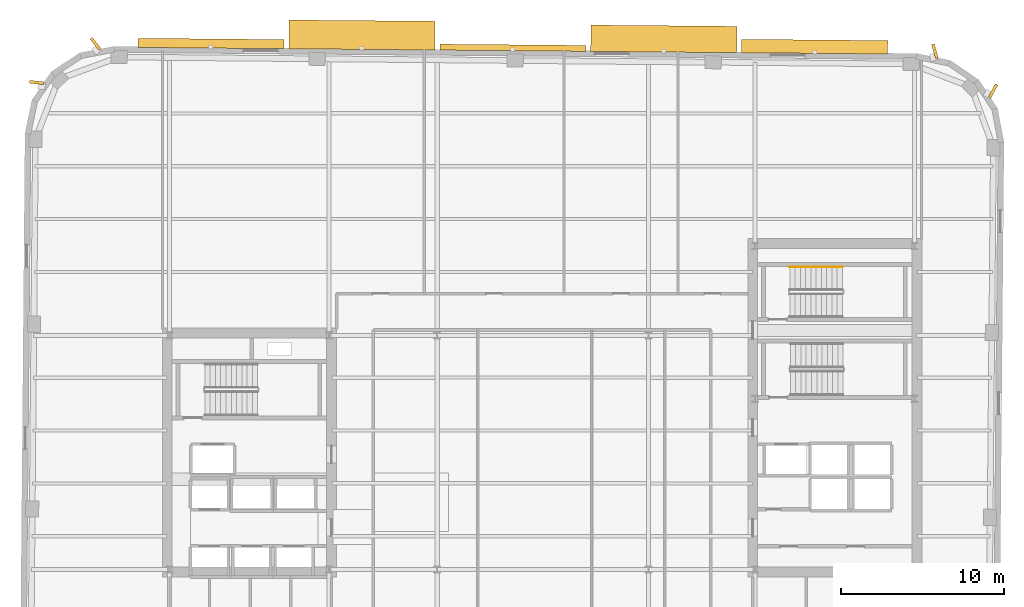
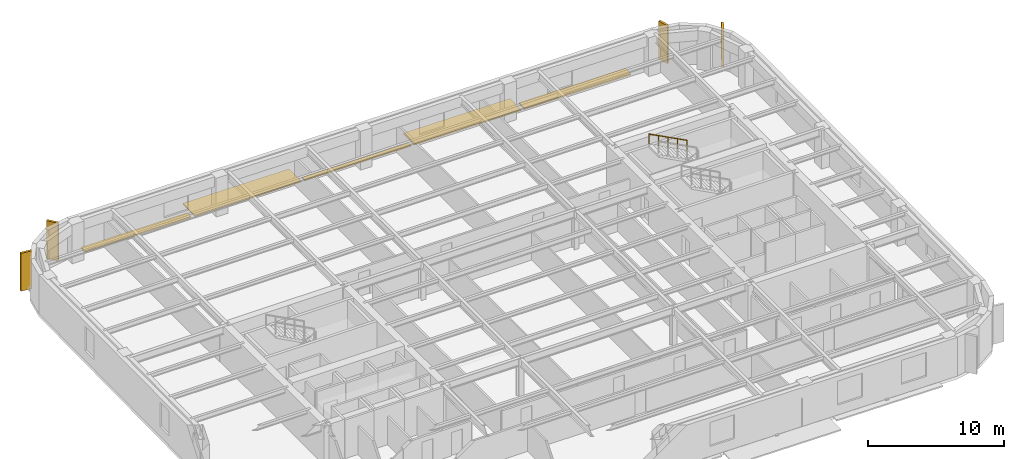
# One storey, part 12 of 12: 9 shading devices, 1 railing.
"""IFC4 building model written with IfcOpenShell, lengths in metres."""

from ifc_helpers import new_model, si_unit, direction, frame, origin, origin_2d, place, context, subcontext, project, spatial, rectangle, circle, extrude, material, type_object, element, save


model = new_model("IFC4")

# Units and contexts
model_context = context("Model", 3, precision=1e-05, world=origin(), true_north=direction((0.0, 1.0)))
body_context = subcontext(model_context, "Body", "Model", "MODEL_VIEW")
ifc_project = project(units=[si_unit("LENGTHUNIT", "METRE"), si_unit("AREAUNIT", "SQUARE_METRE"), si_unit("VOLUMEUNIT", "CUBIC_METRE"), si_unit("PLANEANGLEUNIT", "RADIAN"), si_unit("MASSUNIT", "GRAM", prefix="KILO")], contexts=[model_context])

# Site, building, storey
site_placement = place(None, origin())
site = spatial("IfcSite", under=ifc_project, at=site_placement, CompositionType="ELEMENT")
building_placement = place(site_placement, origin())
building = spatial("IfcBuilding", under=site, at=building_placement, Name="Kolvaren Arena Tower", CompositionType="ELEMENT")
storey_placement = place(building_placement, frame((0.0, 0.0, 177.199951171875)))
storey = spatial("IfcBuildingStorey", under=building, at=storey_placement, Name="L42", CompositionType="ELEMENT", Elevation=177.199951171875)

# Railing
ifc_material_1 = material(Name="Brushed stainless steel handrail", Category="steel")
railing_type = type_object("IfcRailingType", Name="HRAIL-900", PredefinedType="HANDRAIL", material=ifc_material_1)
railing_placement = place(storey_placement, frame((55.919921875, 38.050048828125, 2.04541015625)))
element("IfcRailing", 1, at=railing_placement, inside=storey, type_object=railing_type, Name="L42 ST-E2 stair handrail 2", PredefinedType="HANDRAIL", context=body_context, shape_type="SweptSolid", body=[
    extrude(circle(Radius=0.02392578125, at=origin_2d()), frame((0.0, 0.0, 0.8759765625), z_axis=(-0.884993431791, 0.0, 0.465603506952), x_axis=(0.0, -1.0, 0.0)), (0.0, 0.0, 1.0), 3.6611328125),
    extrude(circle(Radius=0.02099609375, at=origin_2d()), origin(), (0.0, 0.0, 1.0), 0.851806640625),
    extrude(circle(Radius=0.02099609375, at=origin_2d()), frame((-0.81005859375, 0.0, 0.42626953125)), (0.0, 0.0, 1.0), 0.851806640625),
    extrude(circle(Radius=0.02099609375, at=origin_2d()), frame((-1.6201171875, 0.0, 0.852294921875)), (0.0, 0.0, 1.0), 0.851806640625),
    extrude(circle(Radius=0.02099609375, at=origin_2d()), frame((-2.429931640625, 0.0, 1.2783203125)), (0.0, 0.0, 1.0), 0.851806640625),
    extrude(circle(Radius=0.02099609375, at=origin_2d()), frame((-3.239990234375, 0.0, 1.70458984375)), (0.0, 0.0, 1.0), 0.851806640625),
])

# Shading devices
ifc_material_2 = material(Name="Precast architectural concrete C50/60 rib fin", Category="concrete")
shading_device_type_1 = type_object("IfcShadingDeviceType", Name="SHAD-FIN-28", PredefinedType="USERDEFINED", material=ifc_material_2)
for number, where, z_axis, x_axis, name in (
    (2, (65.18115234375, 48.885009765625, 0.02001953125), (0.0, 0.0, 1.0), (0.480994889615, 0.876723397751, 0.0), "Precast 28-Deg Corner Rib Fin (L42)"),
    (3, (61.602783203125, 51.321533203125, 0.02001953125), (0.0, 0.0, 1.0), (-0.279812257957, 0.960054738177, 0.0), "Precast 28-Deg Corner Rib Fin (L42)"),
    (4, (9.997802734375, 51.77197265625, 0.02001953125), (0.0, 0.0, 1.0), (-0.625923472184, 0.779884483093, 0.0), "Precast 28-Deg Corner Rib Fin (L42)"),
    (5, (6.37744140625, 49.398193359375, 0.02001953125), (0.0, 0.0, 1.0), (-0.994056908234, 0.108861669984, 0.0), "Precast 28-Deg Corner Rib Fin (L42)"),
):
    element("IfcShadingDevice", number, at=place(storey_placement, frame(where, z_axis=z_axis, x_axis=x_axis)), inside=storey, type_object=shading_device_type_1, Name=name, ObjectType="FIN", PredefinedType="USERDEFINED", context=body_context, shape_type="SweptSolid", body=[
        extrude(rectangle(XDim=0.89990234375, YDim=0.179931640625, at=origin_2d()), origin(), (0.0, 0.0, 1.0), 3.39990234375),
    ])
ifc_material_3 = material(Name="Architectural precast GFRC and anodised aluminium sunshade", Category="concrete")
shading_device_type_2 = type_object("IfcShadingDeviceType", Name="SHAD-SINE-A", PredefinedType="USERDEFINED", material=ifc_material_3)
shading_device_1_placement = place(storey_placement, frame((17.091796875, 51.794677734375, -0.139892578125), z_axis=(0.0, 0.0, 1.0), x_axis=(0.999961923064, -0.008726535498, 0.0)))
element("IfcShadingDevice", 6, at=shading_device_1_placement, inside=storey, type_object=shading_device_type_2, Name="Sinusoidal Slab-Edge Sunshade Louvre (L42)", ObjectType="LOUVRE", PredefinedType="USERDEFINED", context=body_context, shape_type="SweptSolid", body=[
    extrude(rectangle(XDim=8.97998046875, YDim=0.564453125, at=origin_2d()), origin(), (0.0, 0.0, 1.0), 0.1201171875),
])
shading_device_2_placement = place(storey_placement, frame((35.650146484375, 51.533935546875, -0.139892578125), z_axis=(0.0, 0.0, 1.0), x_axis=(0.999961923064, -0.008726535498, 0.0)))
element("IfcShadingDevice", 7, at=shading_device_2_placement, inside=storey, type_object=shading_device_type_2, Name="Sinusoidal Slab-Edge Sunshade Louvre (L42)", ObjectType="LOUVRE", PredefinedType="USERDEFINED", context=body_context, shape_type="SweptSolid", body=[
    extrude(rectangle(XDim=8.97998046875, YDim=0.36669921875, at=origin_2d()), origin(), (0.0, 0.0, 1.0), 0.1201171875),
])
shading_device_3_placement = place(storey_placement, frame((54.21142578125, 51.601806640625, -0.139892578125), z_axis=(0.0, 0.0, 1.0), x_axis=(0.999961923064, -0.008726535498, 0.0)))
element("IfcShadingDevice", 8, at=shading_device_3_placement, inside=storey, type_object=shading_device_type_2, Name="Sinusoidal Slab-Edge Sunshade Louvre (L42)", ObjectType="LOUVRE", PredefinedType="USERDEFINED", context=body_context, shape_type="SweptSolid", body=[
    extrude(rectangle(XDim=8.97998046875, YDim=0.82666015625, at=origin_2d()), origin(), (0.0, 0.0, 1.0), 0.1201171875),
])
shading_device_type_3 = type_object("IfcShadingDeviceType", Name="SHAD-SINE-B", PredefinedType="JALOUSIE", material=ifc_material_3)
shading_device_4_placement = place(storey_placement, frame((26.376708984375, 52.316650390625, -0.139892578125), z_axis=(0.0, 0.0, 1.0), x_axis=(0.999961923064, -0.008726535498, 0.0)))
element("IfcShadingDevice", 9, at=shading_device_4_placement, inside=storey, type_object=shading_device_type_3, Name="Sinusoidal Slab-Edge Sunshade Louvre (L42)", PredefinedType="JALOUSIE", context=body_context, shape_type="SweptSolid", body=[
    extrude(rectangle(XDim=8.97998046875, YDim=1.7705078125, at=origin_2d()), origin(), (0.0, 0.0, 1.0), 0.1201171875),
])
shading_device_5_placement = place(storey_placement, frame((44.935302734375, 52.079833984375, -0.139892578125), z_axis=(0.0, 0.0, 1.0), x_axis=(0.999961923064, -0.008726535498, 0.0)))
element("IfcShadingDevice", 10, at=shading_device_5_placement, inside=storey, type_object=shading_device_type_3, Name="Sinusoidal Slab-Edge Sunshade Louvre (L42)", PredefinedType="JALOUSIE", context=body_context, shape_type="SweptSolid", body=[
    extrude(rectangle(XDim=8.97998046875, YDim=1.62060546875, at=origin_2d()), origin(), (0.0, 0.0, 1.0), 0.1201171875),
])

save(model, "model.ifc")
